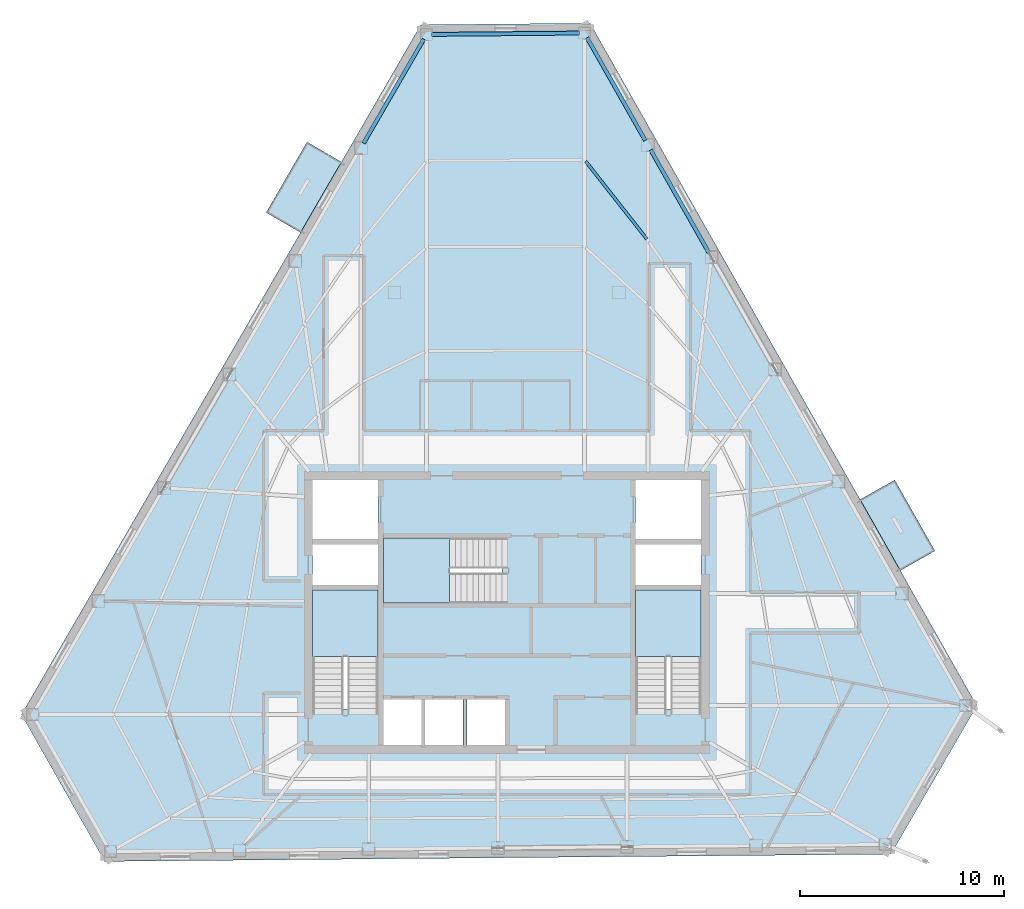
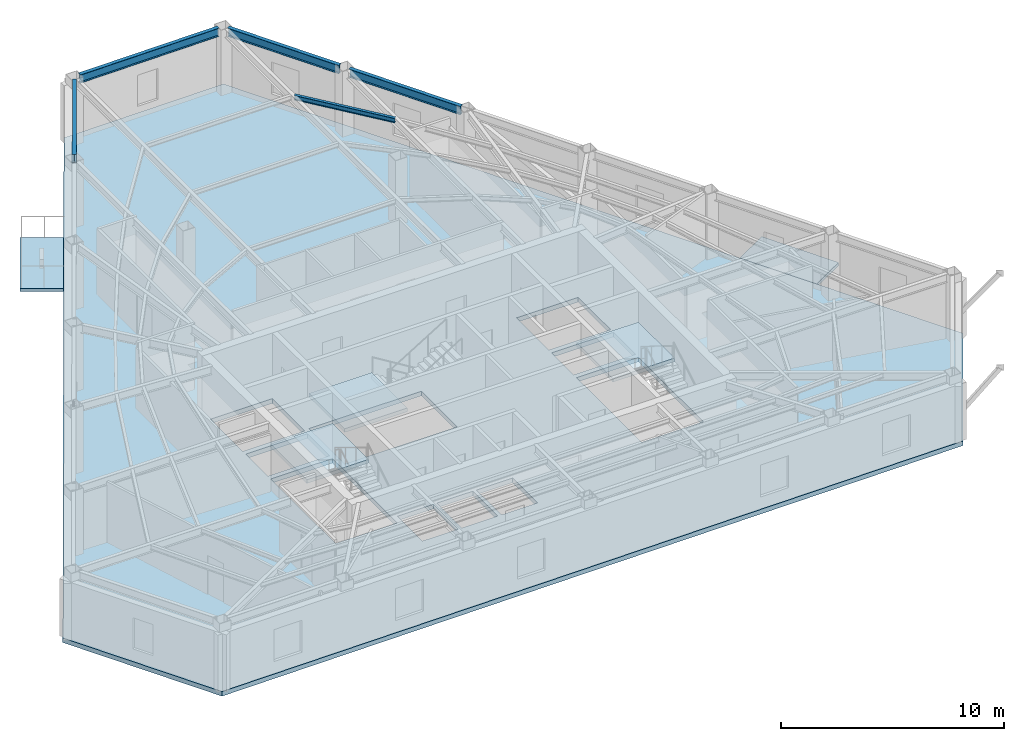
# One storey, part 3 of 10: 6 slabs, 5 beams, 3 elements without a shape of their own.
"""IFC4 building model written with IfcOpenShell, lengths in metres."""

from ifc_helpers import new_model, si_unit, direction, frame, origin, origin_2d, place, context, subcontext, project, spatial, polyline, i_section, outline, extrude, material, layer, layer_set, material_profile, profile_set, type_object, element, aggregate, save


model = new_model("IFC4")

# Units and contexts
model_context = context("Model", 3, precision=1e-05, world=origin(), true_north=direction((0.0, 1.0)))
body_context = subcontext(model_context, "Body", "Model", "MODEL_VIEW")
ifc_project = project(units=[si_unit("LENGTHUNIT", "METRE"), si_unit("AREAUNIT", "SQUARE_METRE"), si_unit("VOLUMEUNIT", "CUBIC_METRE"), si_unit("PLANEANGLEUNIT", "RADIAN"), si_unit("MASSUNIT", "GRAM", prefix="KILO")], contexts=[model_context])

# Site, building, storey
site_placement = place(None, origin())
site = spatial("IfcSite", under=ifc_project, at=site_placement, CompositionType="ELEMENT")
building_placement = place(site_placement, origin())
building = spatial("IfcBuilding", under=site, at=building_placement, Name="Kavelnor Concourse Tower", CompositionType="ELEMENT")
storey_placement = place(building_placement, frame((0.0, 0.0, 222.75)))
storey = spatial("IfcBuildingStorey", under=building, at=storey_placement, Name="L56", CompositionType="ELEMENT", Elevation=222.75)

# Beams
ifc_material_1 = material(Name="Steel Grade 350", Category="steel")
ifc_material_profile_1 = material_profile(ifc_material_1, i_section(OverallWidth=0.14599609375, OverallDepth=0.256103515625, WebThickness=0.00634765625, FlangeThickness=0.010986328125, at=origin_2d()), Name="250UB37")
ifc_profile_set_1 = profile_set([ifc_material_profile_1], Name="Steel Grade 350")
beam_type_1 = type_object("IfcBeamType", Name="BM-JOIST-250", PredefinedType="JOIST", material=ifc_profile_set_1)
beam_1_placement = place(storey_placement, frame((44.868408203125, 34.42333984375, 3.471923828125), z_axis=(-0.618555646975, 0.785740995236, 0.0), x_axis=(-0.785740995236, -0.618555646975, 0.0)))
element("IfcBeam", 1, at=beam_1_placement, inside=storey, type_object=beam_type_1, Name="L56 Secondary Composite Joist 14-3", PredefinedType="JOIST", context=body_context, shape_type="SweptSolid", body=[
    extrude(i_section(OverallWidth=0.14599609375, OverallDepth=0.256103515625, WebThickness=0.00634765625, FlangeThickness=0.010986328125, at=origin_2d()), origin(), (0.0, 0.0, 1.0), 4.85986328125),
])
ifc_material_profile_2 = material_profile(ifc_material_1, i_section(OverallWidth=0.19091796875, OverallDepth=0.4599609375, WebThickness=0.010009765625, FlangeThickness=0.01611328125, at=origin_2d()), Name="460UB82")
ifc_profile_set_2 = profile_set([ifc_material_profile_2], Name="Steel Grade 350")
beam_type_2 = type_object("IfcBeamType", Name="BM-SPANDREL-Z3", PredefinedType="SPANDREL", material=ifc_profile_set_2)
beam_2_placement = place(storey_placement, frame((33.92724609375, 44.2255859375, 3.3701171875), z_axis=(-0.50112281442, -0.865376175352, 0.0), x_axis=(0.865376175352, -0.50112281442, 0.0)))
element("IfcBeam", 2, at=beam_2_placement, inside=storey, type_object=beam_type_2, Name="L56 Perimeter Tube Spandrel Beam F0-B0", PredefinedType="SPANDREL", context=body_context, shape_type="SweptSolid", body=[
    extrude(i_section(OverallWidth=0.19091796875, OverallDepth=0.4599609375, WebThickness=0.010009765625, FlangeThickness=0.01611328125, at=origin_2d()), origin(), (0.0, 0.0, 1.0), 5.8935546875),
])
beam_3_placement = place(storey_placement, frame((41.542236328125, 44.524169921875, 3.3701171875), z_axis=(-0.999957361699, -0.009234434739, 0.0), x_axis=(0.009234434739, -0.999957361699, 0.0)))
element("IfcBeam", 3, at=beam_3_placement, inside=storey, type_object=beam_type_2, Name="L56 Chamfer Facet Spandrel Beam C0", PredefinedType="SPANDREL", context=body_context, shape_type="SweptSolid", body=[
    extrude(i_section(OverallWidth=0.19091796875, OverallDepth=0.4599609375, WebThickness=0.010009765625, FlangeThickness=0.01611328125, at=origin_2d()), origin(), (0.0, 0.0, 1.0), 7.217529296875),
])
for number, where, z_axis, x_axis, name in (
    (4, (47.9091796875, 33.76123046875, 3.3701171875), (-0.493111516196, 0.869966110026, 0.0), (-0.869966110026, -0.493111516196, 0.0), "L56 Perimeter Tube Spandrel Beam F2-B4"),
    (5, (44.79296875, 39.259033203125, 3.3701171875), (-0.493111516196, 0.869966110026, 0.0), (-0.869966110026, -0.493111516196, 0.0), "L56 Perimeter Tube Spandrel Beam F2-B5"),
):
    element("IfcBeam", number, at=place(storey_placement, frame(where, z_axis=z_axis, x_axis=x_axis)), inside=storey, type_object=beam_type_2, Name=name, PredefinedType="SPANDREL", context=body_context, shape_type="SweptSolid", body=[
        extrude(i_section(OverallWidth=0.19091796875, OverallDepth=0.4599609375, WebThickness=0.010009765625, FlangeThickness=0.01611328125, at=origin_2d()), origin(), (0.0, 0.0, 1.0), 5.789794921875),
    ])

# Slabs
ifc_material_2 = material(Name="Concrete C40/50", Category="concrete")
ifc_layer_1 = layer(ifc_material_2, 0.169921875, Name="Concrete C40/50")
ifc_layer_set_1 = layer_set([ifc_layer_1], Name="Concrete C40/50")
slab_type_1 = type_object("IfcSlabType", Name="SLB-BALCONY-170", PredefinedType="FLOOR", material=ifc_layer_set_1)
slab_1_placement = place(storey_placement, frame((0.0, 0.0, -0.169921875)))
element("IfcSlab", 6, at=slab_1_placement, inside=storey, type_object=slab_type_1, Name="L56 Cantilevered Tree Balcony Slab 1", PredefinedType="FLOOR", context=body_context, shape_type="SweptSolid", body=[
    extrude(outline(polyline([(57.025146484375, 22.606201171875), (58.99755859375, 19.126220703125), (57.30126953125, 18.164794921875), (55.32861328125, 21.64453125), (57.025146484375, 22.606201171875)])), origin(), (0.0, 0.0, 1.0), 0.169921875),
])
slab_2_placement = place(storey_placement, frame((0.0, 0.0, -0.169921875)))
element("IfcSlab", 7, at=slab_2_placement, inside=storey, type_object=slab_type_1, Name="L56 Cantilevered Tree Balcony Slab 2", PredefinedType="FLOOR", context=body_context, shape_type="SweptSolid", body=[
    extrude(outline(polyline([(26.19482421875, 35.7216796875), (28.19921875, 39.183349609375), (29.88671875, 38.206298828125), (27.88232421875, 34.74462890625), (26.19482421875, 35.7216796875)])), origin(), (0.0, 0.0, 1.0), 0.169921875),
])

# Stair, slab
stair_type = type_object("IfcStairType", Name="STR-CORE-1500", PredefinedType="HALF_TURN_STAIR", material=ifc_material_2)
stair_1_placement = place(storey_placement, origin())
stair_1 = element("IfcStair", 8, at=stair_1_placement, inside=storey, type_object=stair_type, Name="L56 ST1", PredefinedType="HALF_TURN_STAIR")
ifc_layer_2 = layer(ifc_material_2, 0.199951171875, Name="Concrete C40/50")
ifc_layer_set_2 = layer_set([ifc_layer_2], Name="Concrete C40/50")
slab_type_2 = type_object("IfcSlabType", Name="SLB-LANDING-200", PredefinedType="LANDING", material=ifc_layer_set_2)
slab_3_placement = place(storey_placement, frame((0.0, 0.0, 1.72509765625)))
slab_3 = element("IfcSlab", 9, at=slab_3_placement, type_object=slab_type_2, Name="ST1 landing 1", PredefinedType="LANDING", context=body_context, shape_type="SweptSolid", body=[
    extrude(outline(polyline([(31.679931640625, 13.949951171875), (31.679931640625, 17.199951171875), (28.47998046875, 17.199951171875), (28.47998046875, 13.949951171875), (31.679931640625, 13.949951171875)])), origin(), (0.0, 0.0, 1.0), 0.199951171875),
])
aggregate(stair_1, [slab_3])

stair_2_placement = place(storey_placement, origin())
stair_2 = element("IfcStair", 10, at=stair_2_placement, inside=storey, type_object=stair_type, Name="L56 ST2", PredefinedType="HALF_TURN_STAIR")
slab_4_placement = place(storey_placement, frame((0.0, 0.0, 1.72509765625)))
slab_4 = element("IfcSlab", 11, at=slab_4_placement, type_object=slab_type_2, Name="ST2 landing 1", PredefinedType="LANDING", context=body_context, shape_type="SweptSolid", body=[
    extrude(outline(polyline([(47.52001953125, 13.949951171875), (47.52001953125, 17.199951171875), (44.320068359375, 17.199951171875), (44.320068359375, 13.949951171875), (47.52001953125, 13.949951171875)])), origin(), (0.0, 0.0, 1.0), 0.199951171875),
])
aggregate(stair_2, [slab_4])

stair_3_placement = place(storey_placement, origin())
stair_3 = element("IfcStair", 12, at=stair_3_placement, inside=storey, type_object=stair_type, Name="L56 ST3", PredefinedType="HALF_TURN_STAIR")
slab_5_placement = place(storey_placement, frame((0.0, 0.0, 1.72509765625)))
slab_5 = element("IfcSlab", 13, at=slab_5_placement, type_object=slab_type_2, Name="ST3 landing 1", PredefinedType="LANDING", context=body_context, shape_type="SweptSolid", body=[
    extrude(outline(polyline([(35.18994140625, 19.760009765625), (31.93994140625, 19.760009765625), (31.93994140625, 16.56005859375), (35.18994140625, 16.56005859375), (35.18994140625, 19.760009765625)])), origin(), (0.0, 0.0, 1.0), 0.199951171875),
])
aggregate(stair_3, [slab_5])

# Slab
ifc_layer_3 = layer(ifc_material_2, 0.25, Name="Concrete C40/50")
ifc_layer_set_3 = layer_set([ifc_layer_3], Name="Concrete C40/50")
slab_type_3 = type_object("IfcSlabType", Name="SLB-OFFICE-250", PredefinedType="FLOOR", material=ifc_layer_set_3)
slab_6_placement = place(storey_placement, frame((0.0, 0.0, -0.25)))
element("IfcSlab", 14, at=slab_6_placement, inside=storey, type_object=slab_type_3, Name="L56 Composite Structural Floor Slab", PredefinedType="FLOOR", context=body_context, shape_type="SweptSolid", body=[
    extrude(outline(polyline([(42.08544921875, 45.009033203125), (33.78173828125, 44.9326171875), (14.19287109375, 11.10400390625), (18.278564453125, 3.896240234375), (56.83984375, 4.251953125), (61.05810546875, 11.53662109375), (42.08544921875, 45.009033203125)]), holes=[polyline([(28.47998046875, 11.3798828125), (31.679931640625, 11.3798828125), (31.679931640625, 17.199951171875), (28.47998046875, 17.199951171875), (28.47998046875, 11.3798828125)]), polyline([(44.320068359375, 11.3798828125), (47.52001953125, 11.3798828125), (47.52001953125, 17.199951171875), (44.320068359375, 17.199951171875), (44.320068359375, 11.3798828125)]), polyline([(31.93994140625, 16.56005859375), (37.760009765625, 16.56005859375), (37.760009765625, 19.760009765625), (31.93994140625, 19.760009765625), (31.93994140625, 16.56005859375)]), polyline([(28.47998046875, 19.699951171875), (31.679931640625, 19.699951171875), (31.679931640625, 22.60009765625), (28.47998046875, 22.60009765625), (28.47998046875, 19.699951171875)]), polyline([(44.320068359375, 19.699951171875), (47.52001953125, 19.699951171875), (47.52001953125, 22.60009765625), (44.320068359375, 22.60009765625), (44.320068359375, 19.699951171875)]), polyline([(31.93994140625, 9.60009765625), (33.81005859375, 9.60009765625), (33.81005859375, 11.840087890625), (31.93994140625, 11.840087890625), (31.93994140625, 9.60009765625)]), polyline([(33.989990234375, 9.60009765625), (35.860107421875, 9.60009765625), (35.860107421875, 11.840087890625), (33.989990234375, 11.840087890625), (33.989990234375, 9.60009765625)]), polyline([(36.0400390625, 9.60009765625), (37.909912109375, 9.60009765625), (37.909912109375, 11.840087890625), (36.0400390625, 11.840087890625), (36.0400390625, 9.60009765625)]), polyline([(28.47998046875, 17.4599609375), (31.679931640625, 17.4599609375), (31.679931640625, 19.43994140625), (28.47998046875, 19.43994140625), (28.47998046875, 17.4599609375)]), polyline([(44.320068359375, 17.4599609375), (47.52001953125, 17.4599609375), (47.52001953125, 19.43994140625), (44.320068359375, 19.43994140625), (44.320068359375, 17.4599609375)])]), origin(), (0.0, 0.0, 1.0), 0.25),
])

save(model, "model.ifc")
